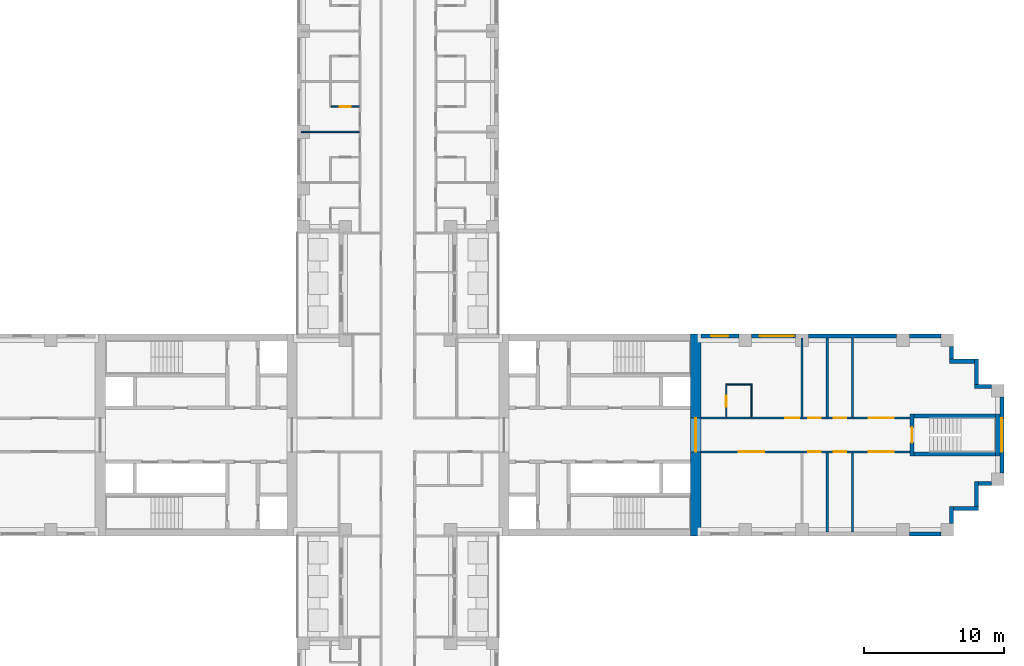
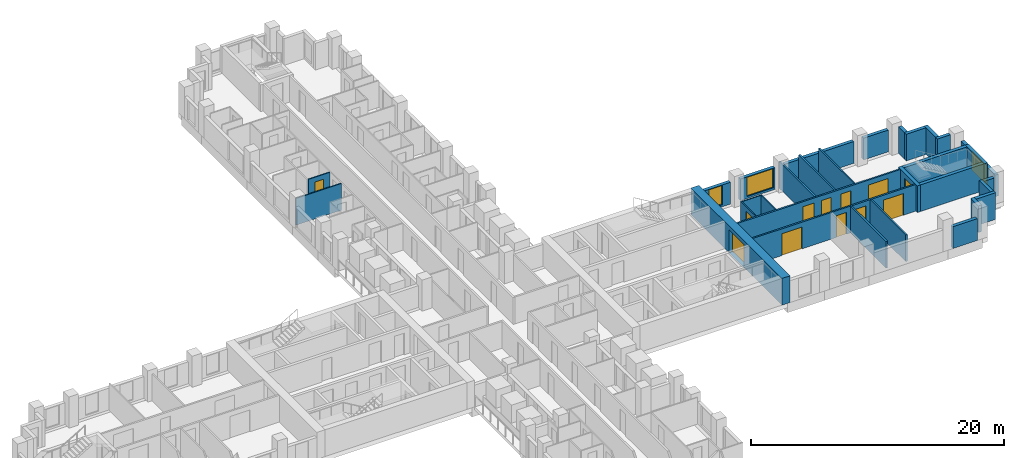
# One storey, part 10 of 15: 31 walls, 12 doors, 3 windows, 15 openings.
"""IFC4 building model written with IfcOpenShell, lengths in metres."""

from ifc_helpers import new_model, si_unit, direction, frame, frame_2d, origin, place, context, subcontext, project, spatial, rectangle, extrude, material, layer, layer_set, type_object, element, fill, save


model = new_model("IFC4")

# Units and contexts
model_context = context("Model", 3, precision=1e-05, world=origin(), true_north=direction((0.0, 1.0)))
body_context = subcontext(model_context, "Body", "Model", "MODEL_VIEW")
ifc_project = project(units=[si_unit("LENGTHUNIT", "METRE"), si_unit("AREAUNIT", "SQUARE_METRE"), si_unit("VOLUMEUNIT", "CUBIC_METRE"), si_unit("PLANEANGLEUNIT", "RADIAN"), si_unit("MASSUNIT", "GRAM", prefix="KILO")], contexts=[model_context])

# Site, building, storey
site_placement = place(None, origin())
site = spatial("IfcSite", under=ifc_project, at=site_placement, CompositionType="ELEMENT")
building_placement = place(site_placement, origin())
building = spatial("IfcBuilding", under=site, at=building_placement, Name="Fustian Cross Tower", CompositionType="ELEMENT")
storey_placement = place(building_placement, frame((0.0, 0.0, 17.699951171875)))
storey = spatial("IfcBuildingStorey", under=building, at=storey_placement, Name="L04", CompositionType="ELEMENT", Elevation=17.699951171875)

# Wall, openings, doors
ifc_material_1 = material(Name="Plasterboard on steel stud", Category="steel")
ifc_layer_1 = layer(ifc_material_1, 0.14990234375)
ifc_layer_set_1 = layer_set([ifc_layer_1], Name="Plasterboard on steel stud")
wall_type_1 = type_object("IfcWallType", Name="COMPARTMENT WALL 150 EI 60", PredefinedType="PARTITIONING", material=ifc_layer_set_1)
wall_1_placement = place(storey_placement, frame((21.60009765625, -1.199951171875, 0.0), z_axis=(0.0, 0.0, 1.0), x_axis=(1.0, 0.0, 0.0)))
wall_1 = element("IfcWall", 1, at=wall_1_placement, inside=storey, type_object=wall_type_1, Name="Partition 99", PredefinedType="PARTITIONING", context=body_context, shape_type="SweptSolid", body=[
    extrude(rectangle(XDim=14.89990234375, YDim=0.14990234375, at=frame_2d((7.449951171875, 0.0))), origin(), (0.0, 0.0, 1.0), 2.574951171875),
])
opening_1_placement = place(wall_1_placement, frame((2.699951171875, 0.0, 0.0)))
opening_1 = element("IfcOpeningElement", 2, at=opening_1_placement, cuts=wall_1, Name="Opening D04015", PredefinedType="OPENING", context=body_context, shape_type="SweptSolid", body=[
    extrude(rectangle(XDim=1.800048828125, YDim=2.10009765625, at=frame_2d((0.89990234375, 1.050048828125))), frame((0.0, 0.0849609375, 0.0), z_axis=(0.0, -1.0, 0.0), x_axis=(1.0, 0.0, 0.0)), (0.0, 0.0, 1.0), 0.169921875),
])
opening_2_placement = place(wall_1_placement, frame((7.64990234375, 0.0, 0.0)))
opening_2 = element("IfcOpeningElement", 3, at=opening_2_placement, cuts=wall_1, Name="Opening D04016", PredefinedType="OPENING", context=body_context, shape_type="SweptSolid", body=[
    extrude(rectangle(XDim=0.89990234375, YDim=2.10009765625, at=frame_2d((0.449951171875, 1.050048828125))), frame((0.0, 0.0849609375, 0.0), z_axis=(0.0, -1.0, 0.0), x_axis=(1.0, 0.0, 0.0)), (0.0, 0.0, 1.0), 0.169921875),
])
opening_3_placement = place(wall_1_placement, frame((9.449951171875, 0.0, 0.0)))
opening_3 = element("IfcOpeningElement", 4, at=opening_3_placement, cuts=wall_1, Name="Opening D04017", PredefinedType="OPENING", context=body_context, shape_type="SweptSolid", body=[
    extrude(rectangle(XDim=0.89990234375, YDim=2.10009765625, at=frame_2d((0.449951171875, 1.050048828125))), frame((0.0, 0.0849609375, 0.0), z_axis=(0.0, -1.0, 0.0), x_axis=(1.0, 0.0, 0.0)), (0.0, 0.0, 1.0), 0.169921875),
])
opening_4_placement = place(wall_1_placement, frame((11.949951171875, 0.0, 0.0)))
opening_4 = element("IfcOpeningElement", 5, at=opening_4_placement, cuts=wall_1, Name="Opening D04018", PredefinedType="OPENING", context=body_context, shape_type="SweptSolid", body=[
    extrude(rectangle(XDim=1.800048828125, YDim=2.10009765625, at=frame_2d((0.89990234375, 1.050048828125))), frame((0.0, 0.0849609375, 0.0), z_axis=(0.0, -1.0, 0.0), x_axis=(1.0, 0.0, 0.0)), (0.0, 0.0, 1.0), 0.169921875),
])
ifc_material_2 = material(Name="Timber fire door set", Category="wood")
door_type_1 = type_object("IfcDoorType", Name="FIRE DOUBLE DOOR 1800 FD30S", OperationType="DOUBLE_DOOR_DOUBLE_SWING", PredefinedType="DOOR", material=ifc_material_2)
door_1_placement = place(opening_1_placement, origin())
door_1 = element("IfcDoor", 6, at=door_1_placement, inside=storey, type_object=door_type_1, Name="Door D04015", OperationType="DOUBLE_DOOR_DOUBLE_SWING", OverallHeight=2.10009765625, OverallWidth=1.800048828125, PredefinedType="DOOR", context=body_context, shape_type="SweptSolid", body=[
    extrude(rectangle(XDim=1.800048828125, YDim=2.10009765625, at=frame_2d((0.89990234375, 1.050048828125))), frame((0.0, 0.02490234375, 0.0), z_axis=(0.0, -1.0, 0.0), x_axis=(1.0, 0.0, 0.0)), (0.0, 0.0, 1.0), 0.050048828125),
])
fill(opening_1, door_1)
door_2_placement = place(opening_4_placement, origin())
door_2 = element("IfcDoor", 7, at=door_2_placement, inside=storey, type_object=door_type_1, Name="Door D04018", OperationType="DOUBLE_DOOR_DOUBLE_SWING", OverallHeight=2.10009765625, OverallWidth=1.800048828125, PredefinedType="DOOR", context=body_context, shape_type="SweptSolid", body=[
    extrude(rectangle(XDim=1.800048828125, YDim=2.10009765625, at=frame_2d((0.89990234375, 1.050048828125))), frame((0.0, 0.02490234375, 0.0), z_axis=(0.0, -1.0, 0.0), x_axis=(1.0, 0.0, 0.0)), (0.0, 0.0, 1.0), 0.050048828125),
])
fill(opening_4, door_2)
ifc_material_3 = material(Name="Timber fire door set", Category="wood")
door_type_2 = type_object("IfcDoorType", Name="FIRE SWING DOOR 900 FD30S", OperationType="SINGLE_SWING_LEFT", PredefinedType="DOOR", material=ifc_material_3)
door_3_placement = place(opening_2_placement, frame((0.89990234375, 0.0, 0.0), z_axis=(0.0, 0.0, 1.0), x_axis=(-1.0, 0.0, 0.0)))
door_3 = element("IfcDoor", 8, at=door_3_placement, inside=storey, type_object=door_type_2, Name="Door D04016", OperationType="SINGLE_SWING_LEFT", OverallHeight=2.10009765625, OverallWidth=0.89990234375, PredefinedType="DOOR", context=body_context, shape_type="SweptSolid", body=[
    extrude(rectangle(XDim=0.89990234375, YDim=2.10009765625, at=frame_2d((0.449951171875, 1.050048828125))), frame((0.0, 0.02490234375, 0.0), z_axis=(0.0, -1.0, 0.0), x_axis=(1.0, 0.0, 0.0)), (0.0, 0.0, 1.0), 0.050048828125),
])
fill(opening_2, door_3)
door_4_placement = place(opening_3_placement, origin())
door_4 = element("IfcDoor", 9, at=door_4_placement, inside=storey, type_object=door_type_2, Name="Door D04017", OperationType="SINGLE_SWING_RIGHT", OverallHeight=2.10009765625, OverallWidth=0.89990234375, PredefinedType="DOOR", context=body_context, shape_type="SweptSolid", body=[
    extrude(rectangle(XDim=0.89990234375, YDim=2.10009765625, at=frame_2d((0.449951171875, 1.050048828125))), frame((0.0, 0.02490234375, 0.0), z_axis=(0.0, -1.0, 0.0), x_axis=(1.0, 0.0, 0.0)), (0.0, 0.0, 1.0), 0.050048828125),
])
fill(opening_3, door_4)

wall_2_placement = place(storey_placement, frame((21.60009765625, 1.199951171875, 0.0), z_axis=(0.0, 0.0, 1.0), x_axis=(1.0, 0.0, 0.0)))
wall_2 = element("IfcWall", 10, at=wall_2_placement, inside=storey, type_object=wall_type_1, Name="Partition 100", PredefinedType="PARTITIONING", context=body_context, shape_type="SweptSolid", body=[
    extrude(rectangle(XDim=14.89990234375, YDim=0.14990234375, at=frame_2d((7.449951171875, 0.0))), origin(), (0.0, 0.0, 1.0), 2.574951171875),
])
opening_5_placement = place(wall_2_placement, frame((6.0, 0.0, 0.0)))
opening_5 = element("IfcOpeningElement", 11, at=opening_5_placement, cuts=wall_2, Name="Opening D04011", PredefinedType="OPENING", context=body_context, shape_type="SweptSolid", body=[
    extrude(rectangle(XDim=1.0, YDim=2.10009765625, at=frame_2d((0.5, 1.050048828125))), frame((0.0, 0.0849609375, 0.0), z_axis=(0.0, -1.0, 0.0), x_axis=(1.0, 0.0, 0.0)), (0.0, 0.0, 1.0), 0.169921875),
])
opening_6_placement = place(wall_2_placement, frame((7.64990234375, 0.0, 0.0)))
opening_6 = element("IfcOpeningElement", 12, at=opening_6_placement, cuts=wall_2, Name="Opening D04012", PredefinedType="OPENING", context=body_context, shape_type="SweptSolid", body=[
    extrude(rectangle(XDim=0.89990234375, YDim=2.10009765625, at=frame_2d((0.449951171875, 1.050048828125))), frame((0.0, 0.0849609375, 0.0), z_axis=(0.0, -1.0, 0.0), x_axis=(1.0, 0.0, 0.0)), (0.0, 0.0, 1.0), 0.169921875),
])
opening_7_placement = place(wall_2_placement, frame((9.449951171875, 0.0, 0.0)))
opening_7 = element("IfcOpeningElement", 13, at=opening_7_placement, cuts=wall_2, Name="Opening D04013", PredefinedType="OPENING", context=body_context, shape_type="SweptSolid", body=[
    extrude(rectangle(XDim=0.89990234375, YDim=2.10009765625, at=frame_2d((0.449951171875, 1.050048828125))), frame((0.0, 0.0849609375, 0.0), z_axis=(0.0, -1.0, 0.0), x_axis=(1.0, 0.0, 0.0)), (0.0, 0.0, 1.0), 0.169921875),
])
opening_8_placement = place(wall_2_placement, frame((11.949951171875, 0.0, 0.0)))
opening_8 = element("IfcOpeningElement", 14, at=opening_8_placement, cuts=wall_2, Name="Opening D04014", PredefinedType="OPENING", context=body_context, shape_type="SweptSolid", body=[
    extrude(rectangle(XDim=1.800048828125, YDim=2.10009765625, at=frame_2d((0.89990234375, 1.050048828125))), frame((0.0, 0.0849609375, 0.0), z_axis=(0.0, -1.0, 0.0), x_axis=(1.0, 0.0, 0.0)), (0.0, 0.0, 1.0), 0.169921875),
])
door_5_placement = place(opening_8_placement, frame((1.800048828125, 0.0, 0.0), z_axis=(0.0, 0.0, 1.0), x_axis=(-1.0, 0.0, 0.0)))
door_5 = element("IfcDoor", 15, at=door_5_placement, inside=storey, type_object=door_type_1, Name="Door D04014", OperationType="DOUBLE_DOOR_DOUBLE_SWING", OverallHeight=2.10009765625, OverallWidth=1.800048828125, PredefinedType="DOOR", context=body_context, shape_type="SweptSolid", body=[
    extrude(rectangle(XDim=1.800048828125, YDim=2.10009765625, at=frame_2d((0.89990234375, 1.050048828125))), frame((0.0, 0.02490234375, 0.0), z_axis=(0.0, -1.0, 0.0), x_axis=(1.0, 0.0, 0.0)), (0.0, 0.0, 1.0), 0.050048828125),
])
fill(opening_8, door_5)
ifc_material_4 = material(Name="Timber fire door set", Category="wood")
door_type_3 = type_object("IfcDoorType", Name="FIRE SWING DOOR 1000 FD30S", OperationType="SINGLE_SWING_LEFT", PredefinedType="DOOR", material=ifc_material_4)
door_6_placement = place(opening_5_placement, origin())
door_6 = element("IfcDoor", 16, at=door_6_placement, inside=storey, type_object=door_type_3, Name="Door D04011", OperationType="SINGLE_SWING_RIGHT", OverallHeight=2.10009765625, OverallWidth=1.0, PredefinedType="DOOR", context=body_context, shape_type="SweptSolid", body=[
    extrude(rectangle(XDim=1.0, YDim=2.10009765625, at=frame_2d((0.5, 1.050048828125))), frame((0.0, 0.02490234375, 0.0), z_axis=(0.0, -1.0, 0.0), x_axis=(1.0, 0.0, 0.0)), (0.0, 0.0, 1.0), 0.050048828125),
])
fill(opening_5, door_6)
door_7_placement = place(opening_6_placement, origin())
door_7 = element("IfcDoor", 17, at=door_7_placement, inside=storey, type_object=door_type_2, Name="Door D04012", OperationType="SINGLE_SWING_RIGHT", OverallHeight=2.10009765625, OverallWidth=0.89990234375, PredefinedType="DOOR", context=body_context, shape_type="SweptSolid", body=[
    extrude(rectangle(XDim=0.89990234375, YDim=2.10009765625, at=frame_2d((0.449951171875, 1.050048828125))), frame((0.0, 0.02490234375, 0.0), z_axis=(0.0, -1.0, 0.0), x_axis=(1.0, 0.0, 0.0)), (0.0, 0.0, 1.0), 0.050048828125),
])
fill(opening_6, door_7)
door_8_placement = place(opening_7_placement, origin())
door_8 = element("IfcDoor", 18, at=door_8_placement, inside=storey, type_object=door_type_2, Name="Door D04013", OperationType="SINGLE_SWING_RIGHT", OverallHeight=2.10009765625, OverallWidth=0.89990234375, PredefinedType="DOOR", context=body_context, shape_type="SweptSolid", body=[
    extrude(rectangle(XDim=0.89990234375, YDim=2.10009765625, at=frame_2d((0.449951171875, 1.050048828125))), frame((0.0, 0.02490234375, 0.0), z_axis=(0.0, -1.0, 0.0), x_axis=(1.0, 0.0, 0.0)), (0.0, 0.0, 1.0), 0.050048828125),
])
fill(opening_7, door_8)

# Walls
for number, where, z_axis, x_axis, name in (
    (19, (28.800048828125, 1.27490234375, 0.0), (0.0, 0.0, 1.0), (0.0, 1.0, 0.0), "Partition 105"),
    (20, (30.60009765625, -6.89990234375, 0.0), (0.0, 0.0, 1.0), (0.0, 1.0, 0.0), "Partition 106"),
    (21, (30.60009765625, 1.27490234375, 0.0), (0.0, 0.0, 1.0), (0.0, 1.0, 0.0), "Partition 107"),
    (22, (32.39990234375, -6.89990234375, 0.0), (0.0, 0.0, 1.0), (0.0, 1.0, 0.0), "Partition 108"),
):
    element("IfcWall", number, at=place(storey_placement, frame(where, z_axis=z_axis, x_axis=x_axis)), inside=storey, type_object=wall_type_1, Name=name, PredefinedType="PARTITIONING", context=body_context, shape_type="SweptSolid", body=[
        extrude(rectangle(XDim=5.625, YDim=0.14990234375, at=frame_2d((2.8125, 0.0))), origin(), (0.0, 0.0, 1.0), 2.574951171875),
    ])

# Wall, opening, door
ifc_material_5 = material(Name="Concrete C80/95", Category="concrete")
ifc_layer_2 = layer(ifc_material_5, 0.75)
ifc_layer_set_2 = layer_set([ifc_layer_2], Name="Concrete C80/95")
wall_type_2 = type_object("IfcWallType", Name="CORE END WALL 750 C80/95", PredefinedType="SHEAR", material=ifc_layer_set_2)
wall_3_placement = place(storey_placement, frame((21.22509765625, -7.199951171875, 0.0), z_axis=(0.0, 0.0, 1.0), x_axis=(0.0, 1.0, 0.0)))
wall_3 = element("IfcWall", 23, at=wall_3_placement, inside=storey, type_object=wall_type_2, Name="Core end wall", PredefinedType="SHEAR", context=body_context, shape_type="SweptSolid", body=[
    extrude(rectangle(XDim=14.39990234375, YDim=0.75, at=frame_2d((7.199951171875, 0.0))), origin(), (0.0, 0.0, 1.0), 2.574951171875),
])
opening_9_placement = place(wall_3_placement, frame((6.0, 0.0, 0.0)))
opening_9 = element("IfcOpeningElement", 24, at=opening_9_placement, cuts=wall_3, Name="Opening CD-04-13", PredefinedType="OPENING", context=body_context, shape_type="SweptSolid", body=[
    extrude(rectangle(XDim=2.39990234375, YDim=2.199951171875, at=frame_2d((1.199951171875, 1.10009765625))), frame((0.0, 0.385009765625, 0.0), z_axis=(0.0, -1.0, 0.0), x_axis=(1.0, 0.0, 0.0)), (0.0, 0.0, 1.0), 0.77001953125),
])
ifc_material_6 = material(Name="Steel", Category="steel")
door_type_4 = type_object("IfcDoorType", Name="FIRE DOOR FD30S DOUBLE 2400X2200", OperationType="DOUBLE_DOOR_DOUBLE_SWING", PredefinedType="DOOR", material=ifc_material_6)
door_9_placement = place(opening_9_placement, origin())
door_9 = element("IfcDoor", 25, at=door_9_placement, inside=storey, type_object=door_type_4, Name="Core door CD-04-13", OperationType="DOUBLE_DOOR_DOUBLE_SWING", OverallHeight=2.199951171875, OverallWidth=2.39990234375, PredefinedType="DOOR", context=body_context, shape_type="SweptSolid", body=[
    extrude(rectangle(XDim=2.39990234375, YDim=2.199951171875, at=frame_2d((1.199951171875, 1.10009765625))), frame((0.0, 0.02490234375, 0.0), z_axis=(0.0, -1.0, 0.0), x_axis=(1.0, 0.0, 0.0)), (0.0, 0.0, 1.0), 0.050048828125),
])
fill(opening_9, door_9)

# Wall
ifc_material_7 = material(Name="Plasterboard on steel stud", Category="steel")
ifc_layer_3 = layer(ifc_material_7, 0.10009765625)
ifc_layer_set_3 = layer_set([ifc_layer_3], Name="Plasterboard on steel stud")
wall_type_3 = type_object("IfcWallType", Name="PARTITION 100 STUD", PredefinedType="PARTITIONING", material=ifc_layer_set_3)
wall_4_placement = place(storey_placement, frame((-6.89990234375, 21.60009765625, 0.0), z_axis=(0.0, 0.0, 1.0), x_axis=(1.0, 0.0, 0.0)))
element("IfcWall", 26, at=wall_4_placement, inside=storey, type_object=wall_type_3, Name="Partition 18", PredefinedType="PARTITIONING", context=body_context, shape_type="SweptSolid", body=[
    extrude(rectangle(XDim=4.14990234375, YDim=0.10009765625, at=frame_2d((2.074951171875, 0.0))), origin(), (0.0, 0.0, 1.0), 2.574951171875),
])

# Wall, opening, door
wall_5_placement = place(storey_placement, frame((-4.75, 23.39990234375, 0.0), z_axis=(0.0, 0.0, 1.0), x_axis=(1.0, 0.0, 0.0)))
wall_5 = element("IfcWall", 27, at=wall_5_placement, inside=storey, type_object=wall_type_3, Name="Partition 40", PredefinedType="PARTITIONING", context=body_context, shape_type="SweptSolid", body=[
    extrude(rectangle(XDim=2.0, YDim=0.10009765625, at=frame_2d((1.0, 0.0))), origin(), (0.0, 0.0, 1.0), 2.574951171875),
])
opening_10_placement = place(wall_5_placement, frame((0.60009765625, 0.0, 0.0)))
opening_10 = element("IfcOpeningElement", 28, at=opening_10_placement, cuts=wall_5, Name="Opening D04030", PredefinedType="OPENING", context=body_context, shape_type="SweptSolid", body=[
    extrude(rectangle(XDim=0.800048828125, YDim=2.10009765625, at=frame_2d((0.39990234375, 1.050048828125))), frame((0.0, 0.06005859375, 0.0), z_axis=(0.0, -1.0, 0.0), x_axis=(1.0, 0.0, 0.0)), (0.0, 0.0, 1.0), 0.1201171875),
])
ifc_material_8 = material(Name="Painted timber", Category="wood")
door_type_5 = type_object("IfcDoorType", Name="SWING DOOR 800", OperationType="SINGLE_SWING_LEFT", PredefinedType="DOOR", material=ifc_material_8)
door_10_placement = place(opening_10_placement, origin())
door_10 = element("IfcDoor", 29, at=door_10_placement, inside=storey, type_object=door_type_5, Name="Door D04030", OperationType="SINGLE_SWING_LEFT", OverallHeight=2.10009765625, OverallWidth=0.800048828125, PredefinedType="DOOR", context=body_context, shape_type="SweptSolid", body=[
    extrude(rectangle(XDim=0.800048828125, YDim=2.10009765625, at=frame_2d((0.39990234375, 1.050048828125))), frame((0.0, 0.02490234375, 0.0), z_axis=(0.0, -1.0, 0.0), x_axis=(1.0, 0.0, 0.0)), (0.0, 0.0, 1.0), 0.050048828125),
])
fill(opening_10, door_10)

wall_6_placement = place(storey_placement, frame((23.39990234375, 1.27490234375, 0.0), z_axis=(0.0, 0.0, 1.0), x_axis=(0.0, 1.0, 0.0)))
wall_6 = element("IfcWall", 30, at=wall_6_placement, inside=storey, type_object=wall_type_3, Name="Partition 101", PredefinedType="PARTITIONING", context=body_context, shape_type="SweptSolid", body=[
    extrude(rectangle(XDim=2.375, YDim=0.10009765625, at=frame_2d((1.1875, 0.0))), origin(), (0.0, 0.0, 1.0), 2.574951171875),
])
opening_11_placement = place(wall_6_placement, frame((0.72509765625, 0.0, 0.0)))
opening_11 = element("IfcOpeningElement", 31, at=opening_11_placement, cuts=wall_6, Name="Opening D04010", PredefinedType="OPENING", context=body_context, shape_type="SweptSolid", body=[
    extrude(rectangle(XDim=0.800048828125, YDim=2.10009765625, at=frame_2d((0.39990234375, 1.050048828125))), frame((0.0, 0.06005859375, 0.0), z_axis=(0.0, -1.0, 0.0), x_axis=(1.0, 0.0, 0.0)), (0.0, 0.0, 1.0), 0.1201171875),
])
door_11_placement = place(opening_11_placement, frame((0.800048828125, 0.0, 0.0), z_axis=(0.0, 0.0, 1.0), x_axis=(-1.0, 0.0, 0.0)))
door_11 = element("IfcDoor", 32, at=door_11_placement, inside=storey, type_object=door_type_5, Name="Door D04010", OperationType="SINGLE_SWING_RIGHT", OverallHeight=2.10009765625, OverallWidth=0.800048828125, PredefinedType="DOOR", context=body_context, shape_type="SweptSolid", body=[
    extrude(rectangle(XDim=0.800048828125, YDim=2.10009765625, at=frame_2d((0.39990234375, 1.050048828125))), frame((0.0, 0.02490234375, 0.0), z_axis=(0.0, -1.0, 0.0), x_axis=(1.0, 0.0, 0.0)), (0.0, 0.0, 1.0), 0.050048828125),
])
fill(opening_11, door_11)

# Walls
wall_7_placement = place(storey_placement, frame((23.449951171875, 3.60009765625, 0.0), z_axis=(0.0, 0.0, 1.0), x_axis=(1.0, 0.0, 0.0)))
element("IfcWall", 33, at=wall_7_placement, inside=storey, type_object=wall_type_3, Name="Partition 102", PredefinedType="PARTITIONING", context=body_context, shape_type="SweptSolid", body=[
    extrude(rectangle(XDim=1.800048828125, YDim=0.10009765625, at=frame_2d((0.89990234375, 0.0))), origin(), (0.0, 0.0, 1.0), 2.574951171875),
])
wall_8_placement = place(storey_placement, frame((25.199951171875, 1.27490234375, 0.0), z_axis=(0.0, 0.0, 1.0), x_axis=(0.0, 1.0, 0.0)))
element("IfcWall", 34, at=wall_8_placement, inside=storey, type_object=wall_type_3, Name="Partition 103", PredefinedType="PARTITIONING", context=body_context, shape_type="SweptSolid", body=[
    extrude(rectangle(XDim=2.275146484375, YDim=0.10009765625, at=frame_2d((1.1376953125, 0.0))), origin(), (0.0, 0.0, 1.0), 2.574951171875),
])

# Wall, opening, door
ifc_material_9 = material(Name="Concrete C50/60", Category="concrete")
ifc_layer_4 = layer(ifc_material_9, 0.300048828125)
ifc_layer_set_4 = layer_set([ifc_layer_4], Name="Concrete C50/60")
wall_type_4 = type_object("IfcWallType", Name="STAIR ENCLOSURE WALL 300 C50/60", PredefinedType="SHEAR", material=ifc_layer_set_4)
wall_9_placement = place(storey_placement, frame((36.64990234375, -1.5, 0.0), z_axis=(0.0, 0.0, 1.0), x_axis=(0.0, 1.0, 0.0)))
wall_9 = element("IfcWall", 35, at=wall_9_placement, inside=storey, type_object=wall_type_4, Name="Stair enclosure wall", PredefinedType="SHEAR", context=body_context, shape_type="SweptSolid", body=[
    extrude(rectangle(XDim=3.0, YDim=0.300048828125, at=frame_2d((1.5, 0.0))), origin(), (0.0, 0.0, 1.0), 2.574951171875),
])
opening_12_placement = place(wall_9_placement, frame((0.949951171875, 0.0, 0.0)))
opening_12 = element("IfcOpeningElement", 36, at=opening_12_placement, cuts=wall_9, Name="Opening CD-04-31", PredefinedType="OPENING", context=body_context, shape_type="SweptSolid", body=[
    extrude(rectangle(XDim=1.10009765625, YDim=2.10009765625, at=frame_2d((0.550048828125, 1.050048828125))), frame((0.0, 0.159912109375, 0.0), z_axis=(0.0, -1.0, 0.0), x_axis=(1.0, 0.0, 0.0)), (0.0, 0.0, 1.0), 0.320068359375),
])
ifc_material_10 = material(Name="Steel", Category="steel")
door_type_6 = type_object("IfcDoorType", Name="FIRE DOOR FD60S 1100X2100", OperationType="SINGLE_SWING_LEFT", PredefinedType="DOOR", material=ifc_material_10)
door_12_placement = place(opening_12_placement, frame((1.10009765625, 0.0, 0.0), z_axis=(0.0, 0.0, 1.0), x_axis=(-1.0, 0.0, 0.0)))
door_12 = element("IfcDoor", 37, at=door_12_placement, inside=storey, type_object=door_type_6, Name="Core door CD-04-31", OperationType="SINGLE_SWING_RIGHT", OverallHeight=2.10009765625, OverallWidth=1.10009765625, PredefinedType="DOOR", context=body_context, shape_type="SweptSolid", body=[
    extrude(rectangle(XDim=1.10009765625, YDim=2.10009765625, at=frame_2d((0.550048828125, 1.050048828125))), frame((0.0, 0.02490234375, 0.0), z_axis=(0.0, -1.0, 0.0), x_axis=(1.0, 0.0, 0.0)), (0.0, 0.0, 1.0), 0.050048828125),
])
fill(opening_12, door_12)

# Walls
wall_10_placement = place(storey_placement, frame((42.75, -1.5, 0.0), z_axis=(0.0, 0.0, 1.0), x_axis=(0.0, 1.0, 0.0)))
element("IfcWall", 38, at=wall_10_placement, inside=storey, type_object=wall_type_4, Name="Stair enclosure wall", PredefinedType="SHEAR", context=body_context, shape_type="SweptSolid", body=[
    extrude(rectangle(XDim=3.0, YDim=0.300048828125, at=frame_2d((1.5, 0.0))), origin(), (0.0, 0.0, 1.0), 2.574951171875),
])
for number, where, z_axis, x_axis, name in (
    (39, (36.800048828125, -1.35009765625, 0.0), (0.0, 0.0, 1.0), (1.0, 0.0, 0.0), "Stair enclosure wall"),
    (40, (36.800048828125, 1.35009765625, 0.0), (0.0, 0.0, 1.0), (1.0, 0.0, 0.0), "Stair enclosure wall"),
):
    element("IfcWall", number, at=place(storey_placement, frame(where, z_axis=z_axis, x_axis=x_axis)), inside=storey, type_object=wall_type_4, Name=name, PredefinedType="SHEAR", context=body_context, shape_type="SweptSolid", body=[
        extrude(rectangle(XDim=5.800048828125, YDim=0.300048828125, at=frame_2d((2.89990234375, 0.0))), origin(), (0.0, 0.0, 1.0), 2.574951171875),
    ])
ifc_material_11 = material(Name="Plasterboard on steel stud", Category="steel")
ifc_layer_5 = layer(ifc_material_11, 0.125)
ifc_layer_set_5 = layer_set([ifc_layer_5], Name="Plasterboard on steel stud")
wall_type_5 = type_object("IfcWallType", Name="WET WALL 125 STUD", PredefinedType="PARTITIONING", material=ifc_layer_set_5)
wall_11_placement = place(storey_placement, frame((32.39990234375, 1.27490234375, 0.0), z_axis=(0.0, 0.0, 1.0), x_axis=(0.0, 1.0, 0.0)))
element("IfcWall", 41, at=wall_11_placement, inside=storey, type_object=wall_type_5, Name="Partition 109", PredefinedType="PARTITIONING", context=body_context, shape_type="SweptSolid", body=[
    extrude(rectangle(XDim=5.625, YDim=0.125, at=frame_2d((2.8125, 0.0))), origin(), (0.0, 0.0, 1.0), 2.574951171875),
])
ifc_material_12 = material(Name="Dark aluminium cladding on insulated backing wall", Category="aluminium")
ifc_layer_6 = layer(ifc_material_12, 0.300048828125)
ifc_layer_set_6 = layer_set([ifc_layer_6], Name="Dark aluminium cladding on insulated backing wall")
wall_type_6 = type_object("IfcWallType", Name="XW1 EXTERNAL WALL 300", PredefinedType="SOLIDWALL", material=ifc_layer_set_6)
wall_12_placement = place(storey_placement, frame((36.449951171875, -7.050048828125, 0.0), z_axis=(0.0, 0.0, 1.0), x_axis=(1.0, 0.0, 0.0)))
element("IfcWall", 42, at=wall_12_placement, inside=storey, type_object=wall_type_6, Name="External wall", PredefinedType="SOLIDWALL", context=body_context, shape_type="SweptSolid", body=[
    extrude(rectangle(XDim=2.25, YDim=0.300048828125, at=frame_2d((1.125, 0.0))), origin(), (0.0, 0.0, 1.0), 2.10009765625),
])
wall_13_placement = place(storey_placement, frame((39.449951171875, -6.300048828125, 0.0), z_axis=(0.0, 0.0, 1.0), x_axis=(0.0, 1.0, 0.0)))
element("IfcWall", 43, at=wall_13_placement, inside=storey, type_object=wall_type_6, Name="External wall", PredefinedType="SOLIDWALL", context=body_context, shape_type="SweptSolid", body=[
    extrude(rectangle(XDim=1.199951171875, YDim=0.300048828125, at=frame_2d((0.60009765625, 0.0))), origin(), (0.0, 0.0, 1.0), 2.574951171875),
])
wall_14_placement = place(storey_placement, frame((39.60009765625, -5.25, 0.0), z_axis=(0.0, 0.0, 1.0), x_axis=(1.0, 0.0, 0.0)))
element("IfcWall", 44, at=wall_14_placement, inside=storey, type_object=wall_type_6, Name="External wall", PredefinedType="SOLIDWALL", context=body_context, shape_type="SweptSolid", body=[
    extrude(rectangle(XDim=1.7998046875, YDim=0.300048828125, at=frame_2d((0.89990234375, 0.0))), origin(), (0.0, 0.0, 1.0), 2.574951171875),
])
wall_15_placement = place(storey_placement, frame((41.25, -5.10009765625, 0.0), z_axis=(0.0, 0.0, 1.0), x_axis=(0.0, 1.0, 0.0)))
element("IfcWall", 45, at=wall_15_placement, inside=storey, type_object=wall_type_6, Name="External wall", PredefinedType="SOLIDWALL", context=body_context, shape_type="SweptSolid", body=[
    extrude(rectangle(XDim=1.800048828125, YDim=0.300048828125, at=frame_2d((0.89990234375, 0.0))), origin(), (0.0, 0.0, 1.0), 2.574951171875),
])
wall_16_placement = place(storey_placement, frame((41.39990234375, -3.449951171875, 0.0), z_axis=(0.0, 0.0, 1.0), x_axis=(1.0, 0.0, 0.0)))
element("IfcWall", 46, at=wall_16_placement, inside=storey, type_object=wall_type_6, Name="External wall", PredefinedType="SOLIDWALL", context=body_context, shape_type="SweptSolid", body=[
    extrude(rectangle(XDim=0.900146484375, YDim=0.300048828125, at=frame_2d((0.4501953125, 0.0))), origin(), (0.0, 0.0, 1.0), 2.574951171875),
])

# Wall, opening, window
wall_17_placement = place(storey_placement, frame((43.050048828125, -2.699951171875, 0.0), z_axis=(0.0, 0.0, 1.0), x_axis=(0.0, 1.0, 0.0)))
wall_17 = element("IfcWall", 47, at=wall_17_placement, inside=storey, type_object=wall_type_6, Name="External wall", PredefinedType="SOLIDWALL", context=body_context, shape_type="SweptSolid", body=[
    extrude(rectangle(XDim=5.39990234375, YDim=0.300048828125, at=frame_2d((2.699951171875, 0.0))), origin(), (0.0, 0.0, 1.0), 2.10009765625),
])
opening_13_placement = place(wall_17_placement, frame((1.5, 0.0, 0.199951171875)))
opening_13 = element("IfcOpeningElement", 48, at=opening_13_placement, cuts=wall_17, Name="Opening WN1", PredefinedType="OPENING", context=body_context, shape_type="SweptSolid", body=[
    extrude(rectangle(XDim=2.39990234375, YDim=1.85009765625, at=frame_2d((1.199951171875, 0.925048828125))), frame((0.0, 0.159912109375, 0.0), z_axis=(0.0, -1.0, 0.0), x_axis=(1.0, 0.0, 0.0)), (0.0, 0.0, 1.0), 0.320068359375),
])
ifc_material_13 = material(Name="Dark anodised aluminium and double glazing", Category="aluminium")
window_type_1 = type_object("IfcWindowType", Name="WN1 WINDOW 2400X1850", PartitioningType="SINGLE_PANEL", PredefinedType="WINDOW", material=ifc_material_13)
window_1_placement = place(opening_13_placement, origin())
window_1 = element("IfcWindow", 49, at=window_1_placement, inside=storey, type_object=window_type_1, Name="Window", OverallHeight=1.85009765625, OverallWidth=2.39990234375, PartitioningType="SINGLE_PANEL", PredefinedType="WINDOW", context=body_context, shape_type="SweptSolid", body=[
    extrude(rectangle(XDim=2.39990234375, YDim=1.85009765625, at=frame_2d((1.199951171875, 0.925048828125))), frame((0.0, 0.030029296875, 0.0), z_axis=(0.0, -1.0, 0.0), x_axis=(1.0, 0.0, 0.0)), (0.0, 0.0, 1.0), 0.06005859375),
])
fill(opening_13, window_1)

# Walls
wall_18_placement = place(storey_placement, frame((42.300048828125, 3.449951171875, 0.0), z_axis=(0.0, 0.0, 1.0), x_axis=(-1.0, 0.0, 0.0)))
element("IfcWall", 50, at=wall_18_placement, inside=storey, type_object=wall_type_6, Name="External wall", PredefinedType="SOLIDWALL", context=body_context, shape_type="SweptSolid", body=[
    extrude(rectangle(XDim=1.199951171875, YDim=0.300048828125, at=frame_2d((0.60009765625, 0.0))), origin(), (0.0, 0.0, 1.0), 2.574951171875),
])
wall_19_placement = place(storey_placement, frame((41.25, 3.60009765625, 0.0), z_axis=(0.0, 0.0, 1.0), x_axis=(0.0, 1.0, 0.0)))
element("IfcWall", 51, at=wall_19_placement, inside=storey, type_object=wall_type_6, Name="External wall", PredefinedType="SOLIDWALL", context=body_context, shape_type="SweptSolid", body=[
    extrude(rectangle(XDim=1.7998046875, YDim=0.300048828125, at=frame_2d((0.89990234375, 0.0))), origin(), (0.0, 0.0, 1.0), 2.574951171875),
])
wall_20_placement = place(storey_placement, frame((41.10009765625, 5.25, 0.0), z_axis=(0.0, 0.0, 1.0), x_axis=(-1.0, 0.0, 0.0)))
element("IfcWall", 52, at=wall_20_placement, inside=storey, type_object=wall_type_6, Name="External wall", PredefinedType="SOLIDWALL", context=body_context, shape_type="SweptSolid", body=[
    extrude(rectangle(XDim=1.800048828125, YDim=0.300048828125, at=frame_2d((0.89990234375, 0.0))), origin(), (0.0, 0.0, 1.0), 2.574951171875),
])
wall_21_placement = place(storey_placement, frame((39.449951171875, 5.39990234375, 0.0), z_axis=(0.0, 0.0, 1.0), x_axis=(0.0, 1.0, 0.0)))
element("IfcWall", 53, at=wall_21_placement, inside=storey, type_object=wall_type_6, Name="External wall", PredefinedType="SOLIDWALL", context=body_context, shape_type="SweptSolid", body=[
    extrude(rectangle(XDim=0.900146484375, YDim=0.300048828125, at=frame_2d((0.4501953125, 0.0))), origin(), (0.0, 0.0, 1.0), 2.574951171875),
])
wall_22_placement = place(storey_placement, frame((38.699951171875, 7.050048828125, 0.0), z_axis=(0.0, 0.0, 1.0), x_axis=(-1.0, 0.0, 0.0)))
element("IfcWall", 54, at=wall_22_placement, inside=storey, type_object=wall_type_6, Name="External wall", PredefinedType="SOLIDWALL", context=body_context, shape_type="SweptSolid", body=[
    extrude(rectangle(XDim=2.25, YDim=0.300048828125, at=frame_2d((1.125, 0.0))), origin(), (0.0, 0.0, 1.0), 2.10009765625),
])
wall_23_placement = place(storey_placement, frame((35.550048828125, 7.050048828125, 0.0), z_axis=(0.0, 0.0, 1.0), x_axis=(-1.0, 0.0, 0.0)))
element("IfcWall", 55, at=wall_23_placement, inside=storey, type_object=wall_type_6, Name="External wall", PredefinedType="SOLIDWALL", context=body_context, shape_type="SweptSolid", body=[
    extrude(rectangle(XDim=6.300048828125, YDim=0.300048828125, at=frame_2d((3.14990234375, 0.0))), origin(), (0.0, 0.0, 1.0), 2.10009765625),
])

# Wall, opening, window
wall_24_placement = place(storey_placement, frame((28.35009765625, 7.050048828125, 0.0), z_axis=(0.0, 0.0, 1.0), x_axis=(-1.0, 0.0, 0.0)))
wall_24 = element("IfcWall", 56, at=wall_24_placement, inside=storey, type_object=wall_type_6, Name="External wall", PredefinedType="SOLIDWALL", context=body_context, shape_type="SweptSolid", body=[
    extrude(rectangle(XDim=3.150146484375, YDim=0.300048828125, at=frame_2d((1.5751953125, 0.0))), origin(), (0.0, 0.0, 1.0), 2.10009765625),
])
opening_14_placement = place(wall_24_placement, frame((0.14990234375, 0.0, 0.199951171875)))
opening_14 = element("IfcOpeningElement", 57, at=opening_14_placement, cuts=wall_24, Name="Opening WN1", PredefinedType="OPENING", context=body_context, shape_type="SweptSolid", body=[
    extrude(rectangle(XDim=2.39990234375, YDim=1.85009765625, at=frame_2d((1.199951171875, 0.925048828125))), frame((0.0, 0.159912109375, 0.0), z_axis=(0.0, -1.0, 0.0), x_axis=(1.0, 0.0, 0.0)), (0.0, 0.0, 1.0), 0.320068359375),
])
window_2_placement = place(opening_14_placement, origin())
window_2 = element("IfcWindow", 58, at=window_2_placement, inside=storey, type_object=window_type_1, Name="Window", OverallHeight=1.85009765625, OverallWidth=2.39990234375, PartitioningType="SINGLE_PANEL", PredefinedType="WINDOW", context=body_context, shape_type="SweptSolid", body=[
    extrude(rectangle(XDim=2.39990234375, YDim=1.85009765625, at=frame_2d((1.199951171875, 0.925048828125))), frame((0.0, 0.030029296875, 0.0), z_axis=(0.0, -1.0, 0.0), x_axis=(1.0, 0.0, 0.0)), (0.0, 0.0, 1.0), 0.06005859375),
])
fill(opening_14, window_2)

wall_25_placement = place(storey_placement, frame((24.300048828125, 7.050048828125, 0.0), z_axis=(0.0, 0.0, 1.0), x_axis=(-1.0, 0.0, 0.0)))
wall_25 = element("IfcWall", 59, at=wall_25_placement, inside=storey, type_object=wall_type_6, Name="External wall", PredefinedType="SOLIDWALL", context=body_context, shape_type="SweptSolid", body=[
    extrude(rectangle(XDim=2.699951171875, YDim=0.300048828125, at=frame_2d((1.35009765625, 0.0))), origin(), (0.0, 0.0, 1.0), 2.10009765625),
])
opening_15_placement = place(wall_25_placement, frame((0.75, 0.0, 0.199951171875)))
opening_15 = element("IfcOpeningElement", 60, at=opening_15_placement, cuts=wall_25, Name="Opening WN3", PredefinedType="OPENING", context=body_context, shape_type="SweptSolid", body=[
    extrude(rectangle(XDim=1.199951171875, YDim=1.85009765625, at=frame_2d((0.60009765625, 0.925048828125))), frame((0.0, 0.159912109375, 0.0), z_axis=(0.0, -1.0, 0.0), x_axis=(1.0, 0.0, 0.0)), (0.0, 0.0, 1.0), 0.320068359375),
])
ifc_material_14 = material(Name="Dark anodised aluminium and double glazing", Category="aluminium")
window_type_2 = type_object("IfcWindowType", Name="WN3 WINDOW 1200X1850", PartitioningType="SINGLE_PANEL", PredefinedType="WINDOW", material=ifc_material_14)
window_3_placement = place(opening_15_placement, origin())
window_3 = element("IfcWindow", 61, at=window_3_placement, inside=storey, type_object=window_type_2, Name="Window", OverallHeight=1.85009765625, OverallWidth=1.199951171875, PartitioningType="SINGLE_PANEL", PredefinedType="WINDOW", context=body_context, shape_type="SweptSolid", body=[
    extrude(rectangle(XDim=1.199951171875, YDim=1.85009765625, at=frame_2d((0.60009765625, 0.925048828125))), frame((0.0, 0.030029296875, 0.0), z_axis=(0.0, -1.0, 0.0), x_axis=(1.0, 0.0, 0.0)), (0.0, 0.0, 1.0), 0.06005859375),
])
fill(opening_15, window_3)

save(model, "model.ifc")
